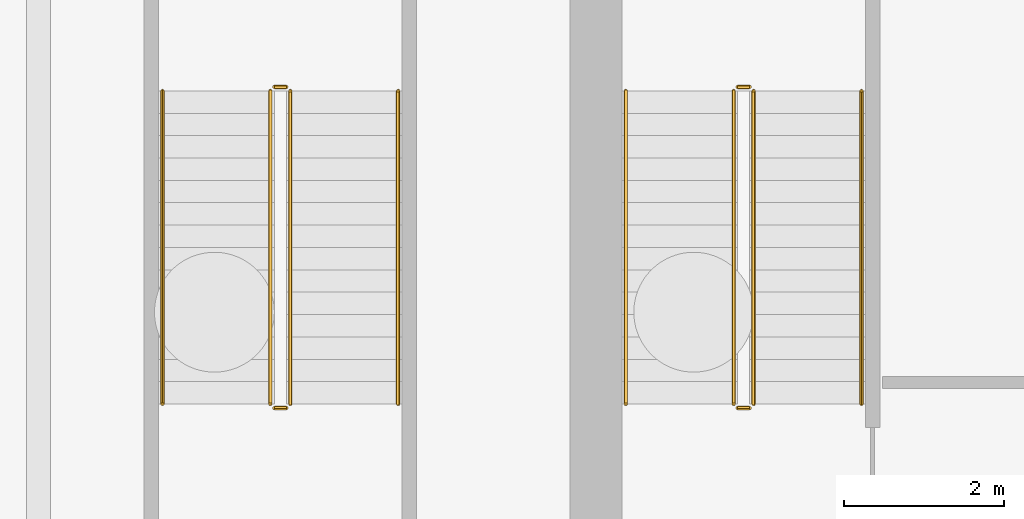
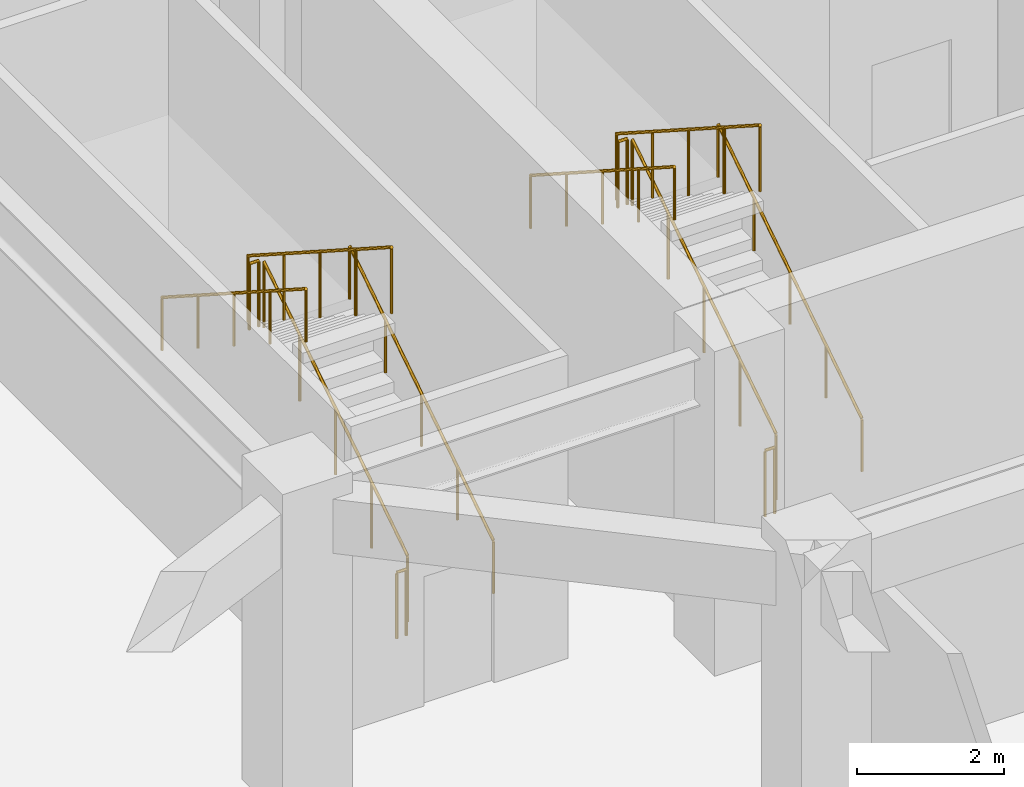
# One storey, part 15 of 18: 12 railings.
"""IFC4 building model written with IfcOpenShell, lengths in metres."""

from ifc_helpers import new_model, si_unit, direction, frame, origin, origin_2d, place, context, subcontext, project, spatial, circle, extrude, material, type_object, element, save


model = new_model("IFC4")

# Units and contexts
model_context = context("Model", 3, precision=1e-05, world=origin(), true_north=direction((0.0, 1.0)))
body_context = subcontext(model_context, "Body", "Model", "MODEL_VIEW")
ifc_project = project(units=[si_unit("LENGTHUNIT", "METRE"), si_unit("AREAUNIT", "SQUARE_METRE"), si_unit("VOLUMEUNIT", "CUBIC_METRE"), si_unit("PLANEANGLEUNIT", "RADIAN"), si_unit("MASSUNIT", "GRAM", prefix="KILO")], contexts=[model_context])

# Site, building, storey
site_placement = place(None, origin())
site = spatial("IfcSite", under=ifc_project, at=site_placement, CompositionType="ELEMENT")
building_placement = place(site_placement, origin())
building = spatial("IfcBuilding", under=site, at=building_placement, Name="Saevonmaru Cultural Tower", CompositionType="ELEMENT")
storey_placement = place(building_placement, frame((0.0, 0.0, -10.800048828125)))
storey = spatial("IfcBuildingStorey", under=building, at=storey_placement, Name="B2", CompositionType="ELEMENT", Elevation=-10.800048828125)

# Railings
ifc_material_1 = material(Name="Architectural Painted Steel", Category="steel")
railing_type_1 = type_object("IfcRailingType", Name="RL-STAIR-GUARD", PredefinedType="GUARDRAIL", material=ifc_material_1)
railing_1_placement = place(storey_placement, frame((15.75, 44.85009765625, 0.179931640625)))
element("IfcRailing", 1, at=railing_1_placement, inside=storey, type_object=railing_type_1, Name="B2 ST-1 stair guard 1", PredefinedType="GUARDRAIL", context=body_context, shape_type="SweptSolid", body=[
    extrude(circle(Radius=0.02392578125, at=origin_2d()), frame((0.0, 0.0, 1.09619140625), z_axis=(0.0, 0.841171666519, 0.540768182723), x_axis=(-1.0, 0.0, 0.0)), (0.0, 0.0, 1.0), 4.66015625),
    extrude(circle(Radius=0.02099609375, at=origin_2d()), origin(), (0.0, 0.0, 1.0), 1.072021484375),
    extrude(circle(Radius=0.02099609375, at=origin_2d()), frame((0.0, 0.97998046875, 0.6298828125)), (0.0, 0.0, 1.0), 1.072021484375),
    extrude(circle(Radius=0.02099609375, at=origin_2d()), frame((0.0, 1.9599609375, 1.260009765625)), (0.0, 0.0, 1.0), 1.072021484375),
    extrude(circle(Radius=0.02099609375, at=origin_2d()), frame((0.0, 2.93994140625, 1.89013671875)), (0.0, 0.0, 1.0), 1.072021484375),
    extrude(circle(Radius=0.02099609375, at=origin_2d()), frame((0.0, 3.919921875, 2.52001953125)), (0.0, 0.0, 1.0), 1.072021484375),
])
railing_2_placement = place(storey_placement, frame((15.699951171875, 48.820068359375, 2.699951171875)))
element("IfcRailing", 2, at=railing_2_placement, inside=storey, type_object=railing_type_1, Name="B2 ST-1 stair guard 2", PredefinedType="GUARDRAIL", context=body_context, shape_type="SweptSolid", body=[
    extrude(circle(Radius=0.02392578125, at=origin_2d()), frame((0.0, 0.0, 1.09619140625), z_axis=(-1.0, 0.0, 0.0), x_axis=(0.0, -1.0, 0.0)), (0.0, 0.0, 1.0), 0.14990234375),
    extrude(circle(Radius=0.02099609375, at=origin_2d()), origin(), (0.0, 0.0, 1.0), 1.072021484375),
    extrude(circle(Radius=0.02099609375, at=origin_2d()), frame((-0.14990234375, 0.0, 0.0)), (0.0, 0.0, 1.0), 1.072021484375),
])
railing_3_placement = place(storey_placement, frame((15.5, 48.77001953125, 2.880126953125)))
element("IfcRailing", 3, at=railing_3_placement, inside=storey, type_object=railing_type_1, Name="B2 ST-1 stair guard 3", PredefinedType="GUARDRAIL", context=body_context, shape_type="SweptSolid", body=[
    extrude(circle(Radius=0.02392578125, at=origin_2d()), frame((0.0, 0.0, 1.09619140625), z_axis=(0.0, -0.841171666519, 0.540768182723), x_axis=(1.0, 0.0, 0.0)), (0.0, 0.0, 1.0), 4.66015625),
    extrude(circle(Radius=0.02099609375, at=origin_2d()), origin(), (0.0, 0.0, 1.0), 1.072021484375),
    extrude(circle(Radius=0.02099609375, at=origin_2d()), frame((0.0, -0.97998046875, 0.6298828125)), (0.0, 0.0, 1.0), 1.072021484375),
    extrude(circle(Radius=0.02099609375, at=origin_2d()), frame((0.0, -1.9599609375, 1.260009765625)), (0.0, 0.0, 1.0), 1.072021484375),
    extrude(circle(Radius=0.02099609375, at=origin_2d()), frame((0.0, -2.93994140625, 1.89013671875)), (0.0, 0.0, 1.0), 1.072021484375),
    extrude(circle(Radius=0.02099609375, at=origin_2d()), frame((0.0, -3.919921875, 2.52001953125)), (0.0, 0.0, 1.0), 1.072021484375),
])
railing_4_placement = place(storey_placement, frame((15.699951171875, 44.800048828125, 0.0)))
element("IfcRailing", 4, at=railing_4_placement, inside=storey, type_object=railing_type_1, Name="B2 ST-1 stair guard 4", PredefinedType="GUARDRAIL", context=body_context, shape_type="SweptSolid", body=[
    extrude(circle(Radius=0.02392578125, at=origin_2d()), frame((0.0, 0.0, 1.09619140625), z_axis=(-1.0, 0.0, 0.0), x_axis=(0.0, -1.0, 0.0)), (0.0, 0.0, 1.0), 0.14990234375),
    extrude(circle(Radius=0.02099609375, at=origin_2d()), origin(), (0.0, 0.0, 1.0), 1.072021484375),
    extrude(circle(Radius=0.02099609375, at=origin_2d()), frame((-0.14990234375, 0.0, 0.0)), (0.0, 0.0, 1.0), 1.072021484375),
])
railing_5_placement = place(storey_placement, frame((9.949951171875, 44.85009765625, 0.179931640625)))
element("IfcRailing", 5, at=railing_5_placement, inside=storey, type_object=railing_type_1, Name="B2 ST-3 stair guard 1", PredefinedType="GUARDRAIL", context=body_context, shape_type="SweptSolid", body=[
    extrude(circle(Radius=0.02392578125, at=origin_2d()), frame((0.0, 0.0, 1.09619140625), z_axis=(0.0, 0.841171666519, 0.540768182723), x_axis=(-1.0, 0.0, 0.0)), (0.0, 0.0, 1.0), 4.66015625),
    extrude(circle(Radius=0.02099609375, at=origin_2d()), origin(), (0.0, 0.0, 1.0), 1.072021484375),
    extrude(circle(Radius=0.02099609375, at=origin_2d()), frame((0.0, 0.97998046875, 0.6298828125)), (0.0, 0.0, 1.0), 1.072021484375),
    extrude(circle(Radius=0.02099609375, at=origin_2d()), frame((0.0, 1.9599609375, 1.260009765625)), (0.0, 0.0, 1.0), 1.072021484375),
    extrude(circle(Radius=0.02099609375, at=origin_2d()), frame((0.0, 2.93994140625, 1.89013671875)), (0.0, 0.0, 1.0), 1.072021484375),
    extrude(circle(Radius=0.02099609375, at=origin_2d()), frame((0.0, 3.919921875, 2.52001953125)), (0.0, 0.0, 1.0), 1.072021484375),
])
railing_6_placement = place(storey_placement, frame((9.89990234375, 48.820068359375, 2.699951171875)))
element("IfcRailing", 6, at=railing_6_placement, inside=storey, type_object=railing_type_1, Name="B2 ST-3 stair guard 2", PredefinedType="GUARDRAIL", context=body_context, shape_type="SweptSolid", body=[
    extrude(circle(Radius=0.02392578125, at=origin_2d()), frame((0.0, 0.0, 1.09619140625), z_axis=(-1.0, 0.0, 0.0), x_axis=(0.0, -1.0, 0.0)), (0.0, 0.0, 1.0), 0.14990234375),
    extrude(circle(Radius=0.02099609375, at=origin_2d()), origin(), (0.0, 0.0, 1.0), 1.072021484375),
    extrude(circle(Radius=0.02099609375, at=origin_2d()), frame((-0.14990234375, 0.0, 0.0)), (0.0, 0.0, 1.0), 1.072021484375),
])
railing_7_placement = place(storey_placement, frame((9.699951171875, 48.77001953125, 2.880126953125)))
element("IfcRailing", 7, at=railing_7_placement, inside=storey, type_object=railing_type_1, Name="B2 ST-3 stair guard 3", PredefinedType="GUARDRAIL", context=body_context, shape_type="SweptSolid", body=[
    extrude(circle(Radius=0.02392578125, at=origin_2d()), frame((0.0, 0.0, 1.09619140625), z_axis=(0.0, -0.841171666519, 0.540768182723), x_axis=(1.0, 0.0, 0.0)), (0.0, 0.0, 1.0), 4.66015625),
    extrude(circle(Radius=0.02099609375, at=origin_2d()), origin(), (0.0, 0.0, 1.0), 1.072021484375),
    extrude(circle(Radius=0.02099609375, at=origin_2d()), frame((0.0, -0.97998046875, 0.6298828125)), (0.0, 0.0, 1.0), 1.072021484375),
    extrude(circle(Radius=0.02099609375, at=origin_2d()), frame((0.0, -1.9599609375, 1.260009765625)), (0.0, 0.0, 1.0), 1.072021484375),
    extrude(circle(Radius=0.02099609375, at=origin_2d()), frame((0.0, -2.93994140625, 1.89013671875)), (0.0, 0.0, 1.0), 1.072021484375),
    extrude(circle(Radius=0.02099609375, at=origin_2d()), frame((0.0, -3.919921875, 2.52001953125)), (0.0, 0.0, 1.0), 1.072021484375),
])
railing_8_placement = place(storey_placement, frame((9.89990234375, 44.800048828125, 0.0)))
element("IfcRailing", 8, at=railing_8_placement, inside=storey, type_object=railing_type_1, Name="B2 ST-3 stair guard 4", PredefinedType="GUARDRAIL", context=body_context, shape_type="SweptSolid", body=[
    extrude(circle(Radius=0.02392578125, at=origin_2d()), frame((0.0, 0.0, 1.09619140625), z_axis=(-1.0, 0.0, 0.0), x_axis=(0.0, -1.0, 0.0)), (0.0, 0.0, 1.0), 0.14990234375),
    extrude(circle(Radius=0.02099609375, at=origin_2d()), origin(), (0.0, 0.0, 1.0), 1.072021484375),
    extrude(circle(Radius=0.02099609375, at=origin_2d()), frame((-0.14990234375, 0.0, 0.0)), (0.0, 0.0, 1.0), 1.072021484375),
])
ifc_material_2 = material(Name="Satin Bronze Anodised Aluminium", Category="aluminium")
railing_type_2 = type_object("IfcRailingType", Name="RL-STAIR-HANDRAIL", PredefinedType="HANDRAIL", material=ifc_material_2)
railing_9_placement = place(storey_placement, frame((17.10009765625, 44.85009765625, 0.179931640625)))
element("IfcRailing", 9, at=railing_9_placement, inside=storey, type_object=railing_type_2, Name="B2 ST-1 stair handrail 1", PredefinedType="HANDRAIL", context=body_context, shape_type="SweptSolid", body=[
    extrude(circle(Radius=0.02392578125, at=origin_2d()), frame((0.0, 0.0, 0.8759765625), z_axis=(0.0, 0.841171666519, 0.540768182723), x_axis=(-1.0, 0.0, 0.0)), (0.0, 0.0, 1.0), 4.66015625),
    extrude(circle(Radius=0.02099609375, at=origin_2d()), origin(), (0.0, 0.0, 1.0), 0.851806640625),
    extrude(circle(Radius=0.02099609375, at=origin_2d()), frame((0.0, 0.97998046875, 0.6298828125)), (0.0, 0.0, 1.0), 0.851806640625),
    extrude(circle(Radius=0.02099609375, at=origin_2d()), frame((0.0, 1.9599609375, 1.260009765625)), (0.0, 0.0, 1.0), 0.851806640625),
    extrude(circle(Radius=0.02099609375, at=origin_2d()), frame((0.0, 2.93994140625, 1.89013671875)), (0.0, 0.0, 1.0), 0.851806640625),
    extrude(circle(Radius=0.02099609375, at=origin_2d()), frame((0.0, 3.919921875, 2.52001953125)), (0.0, 0.0, 1.0), 0.851806640625),
])
railing_10_placement = place(storey_placement, frame((14.14990234375, 48.77001953125, 2.880126953125)))
element("IfcRailing", 10, at=railing_10_placement, inside=storey, type_object=railing_type_2, Name="B2 ST-1 stair handrail 2", PredefinedType="HANDRAIL", context=body_context, shape_type="SweptSolid", body=[
    extrude(circle(Radius=0.02392578125, at=origin_2d()), frame((0.0, 0.0, 0.8759765625), z_axis=(0.0, -0.841171666519, 0.540768182723), x_axis=(1.0, 0.0, 0.0)), (0.0, 0.0, 1.0), 4.66015625),
    extrude(circle(Radius=0.02099609375, at=origin_2d()), origin(), (0.0, 0.0, 1.0), 0.851806640625),
    extrude(circle(Radius=0.02099609375, at=origin_2d()), frame((0.0, -0.97998046875, 0.6298828125)), (0.0, 0.0, 1.0), 0.851806640625),
    extrude(circle(Radius=0.02099609375, at=origin_2d()), frame((0.0, -1.9599609375, 1.260009765625)), (0.0, 0.0, 1.0), 0.851806640625),
    extrude(circle(Radius=0.02099609375, at=origin_2d()), frame((0.0, -2.93994140625, 1.89013671875)), (0.0, 0.0, 1.0), 0.851806640625),
    extrude(circle(Radius=0.02099609375, at=origin_2d()), frame((0.0, -3.919921875, 2.52001953125)), (0.0, 0.0, 1.0), 0.851806640625),
])
railing_11_placement = place(storey_placement, frame((11.300048828125, 44.85009765625, 0.179931640625)))
element("IfcRailing", 11, at=railing_11_placement, inside=storey, type_object=railing_type_2, Name="B2 ST-3 stair handrail 1", PredefinedType="HANDRAIL", context=body_context, shape_type="SweptSolid", body=[
    extrude(circle(Radius=0.02392578125, at=origin_2d()), frame((0.0, 0.0, 0.8759765625), z_axis=(0.0, 0.841171666519, 0.540768182723), x_axis=(-1.0, 0.0, 0.0)), (0.0, 0.0, 1.0), 4.66015625),
    extrude(circle(Radius=0.02099609375, at=origin_2d()), origin(), (0.0, 0.0, 1.0), 0.851806640625),
    extrude(circle(Radius=0.02099609375, at=origin_2d()), frame((0.0, 0.97998046875, 0.6298828125)), (0.0, 0.0, 1.0), 0.851806640625),
    extrude(circle(Radius=0.02099609375, at=origin_2d()), frame((0.0, 1.9599609375, 1.260009765625)), (0.0, 0.0, 1.0), 0.851806640625),
    extrude(circle(Radius=0.02099609375, at=origin_2d()), frame((0.0, 2.93994140625, 1.89013671875)), (0.0, 0.0, 1.0), 0.851806640625),
    extrude(circle(Radius=0.02099609375, at=origin_2d()), frame((0.0, 3.919921875, 2.52001953125)), (0.0, 0.0, 1.0), 0.851806640625),
])
railing_12_placement = place(storey_placement, frame((8.35009765625, 48.77001953125, 2.880126953125)))
element("IfcRailing", 12, at=railing_12_placement, inside=storey, type_object=railing_type_2, Name="B2 ST-3 stair handrail 2", PredefinedType="HANDRAIL", context=body_context, shape_type="SweptSolid", body=[
    extrude(circle(Radius=0.02392578125, at=origin_2d()), frame((0.0, 0.0, 0.8759765625), z_axis=(0.0, -0.841171666519, 0.540768182723), x_axis=(1.0, 0.0, 0.0)), (0.0, 0.0, 1.0), 4.66015625),
    extrude(circle(Radius=0.02099609375, at=origin_2d()), origin(), (0.0, 0.0, 1.0), 0.851806640625),
    extrude(circle(Radius=0.02099609375, at=origin_2d()), frame((0.0, -0.97998046875, 0.6298828125)), (0.0, 0.0, 1.0), 0.851806640625),
    extrude(circle(Radius=0.02099609375, at=origin_2d()), frame((0.0, -1.9599609375, 1.260009765625)), (0.0, 0.0, 1.0), 0.851806640625),
    extrude(circle(Radius=0.02099609375, at=origin_2d()), frame((0.0, -2.93994140625, 1.89013671875)), (0.0, 0.0, 1.0), 0.851806640625),
    extrude(circle(Radius=0.02099609375, at=origin_2d()), frame((0.0, -3.919921875, 2.52001953125)), (0.0, 0.0, 1.0), 0.851806640625),
])

save(model, "model.ifc")
